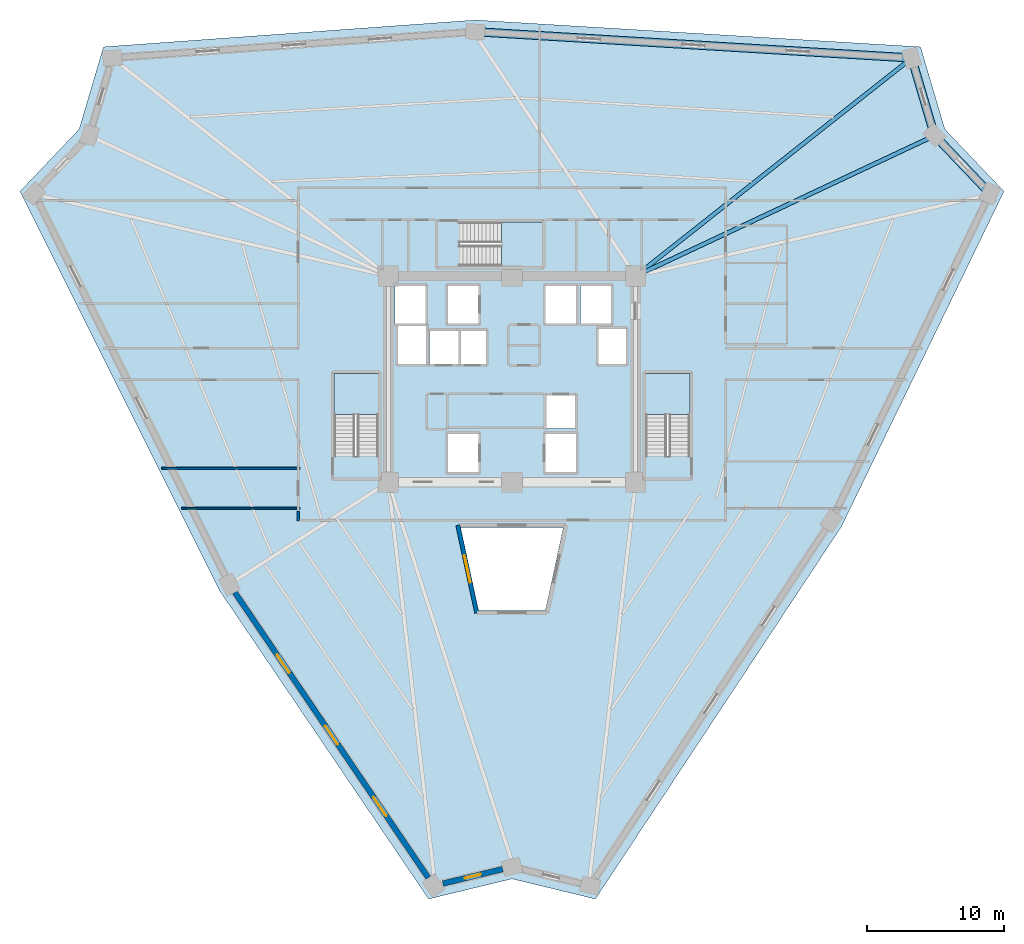
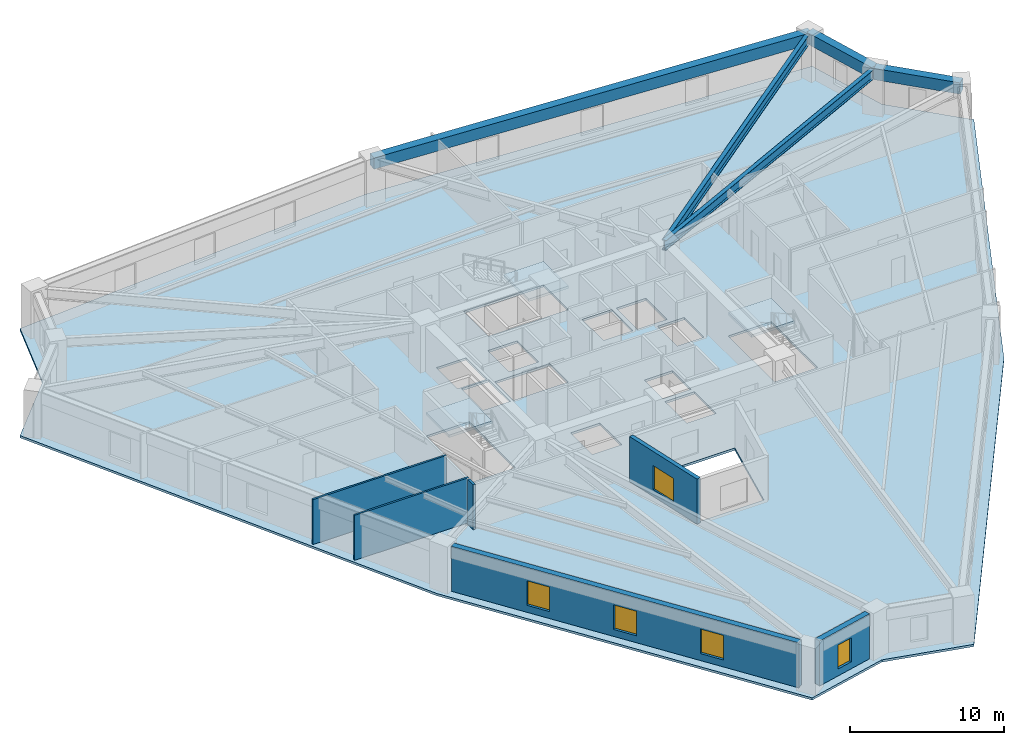
# One storey, part 2 of 8: 6 walls, 5 beams, 5 windows, 4 slabs, 5 openings, 3 elements without a shape of their own.
"""IFC4 building model written with IfcOpenShell, lengths in metres."""

from ifc_helpers import new_model, si_unit, direction, frame, frame_2d, origin, origin_2d, place, context, subcontext, project, spatial, polyline, rectangle, i_section, outline, extrude, source, transform, mapped, material, layer, layer_set, material_profile, profile_set, type_object, element, fill, aggregate, save


model = new_model("IFC4")

# Units and contexts
model_context = context("Model", 3, precision=1e-05, world=origin(), true_north=direction((0.0, 1.0)))
body_context = subcontext(model_context, "Body", "Model", "MODEL_VIEW")
ifc_project = project(units=[si_unit("LENGTHUNIT", "METRE"), si_unit("AREAUNIT", "SQUARE_METRE"), si_unit("VOLUMEUNIT", "CUBIC_METRE"), si_unit("PLANEANGLEUNIT", "RADIAN"), si_unit("MASSUNIT", "GRAM", prefix="KILO")], contexts=[model_context])

# Site, building, storey
site_placement = place(None, origin())
site = spatial("IfcSite", under=ifc_project, at=site_placement, CompositionType="ELEMENT")
building_placement = place(site_placement, origin())
building = spatial("IfcBuilding", under=site, at=building_placement, Name="Liaohun Quay Tower", CompositionType="ELEMENT")
storey_placement = place(building_placement, frame((0.0, 0.0, 174.0)))
storey = spatial("IfcBuildingStorey", under=building, at=storey_placement, Name="L45", CompositionType="ELEMENT", Elevation=174.0)

# Beams
ifc_material_1 = material(Name="Precast concrete C55", Category="concrete")
ifc_material_profile_1 = material_profile(ifc_material_1, rectangle(XDim=0.60009765625, YDim=0.89990234375, at=origin_2d()), Name="RC600x900")
ifc_profile_set_1 = profile_set([ifc_material_profile_1], Name="Precast concrete C55")
beam_type_1 = type_object("IfcBeamType", Name="BM-SPD-Z2", PredefinedType="SPANDREL", material=ifc_profile_set_1)
shared_shape_1 = source(origin(), body_context, "Body", "SweptSolid", [
    extrude(rectangle(XDim=0.60009765625, YDim=0.89990234375, at=origin_2d()), origin(), (0.0, 0.0, 1.0), 31.817626953125),
])
beam_1_placement = place(storey_placement, frame((57.3291015625, 79.282958984375, 3.1201171875), z_axis=(0.998187067005, -0.060187866411, 0.0), x_axis=(0.060187866411, 0.998187067005, 0.0)))
element("IfcBeam", 1, at=beam_1_placement, inside=storey, type_object=beam_type_1, Name="L45 Precast Spandrel Beam PC06-PC07", PredefinedType="SPANDREL", context=body_context, shape_type="MappedRepresentation", body=[
    mapped(shared_shape_1, transform((0.0, 0.0, 0.0), x_axis=(1.0, 0.0, 0.0), y_axis=(0.0, 1.0, 0.0), z_axis=(0.0, 0.0, 1.0), scale=1.0)),
])
shared_shape_2 = source(origin(), body_context, "Body", "SweptSolid", [
    extrude(rectangle(XDim=0.60009765625, YDim=0.89990234375, at=origin_2d()), origin(), (0.0, 0.0, 1.0), 5.856201171875),
])
beam_2_placement = place(storey_placement, frame((89.089111328125, 77.367919921875, 3.1201171875), z_axis=(0.282942654403, -0.959136827736, 0.0), x_axis=(0.959136827736, 0.282942654403, 0.0)))
element("IfcBeam", 2, at=beam_2_placement, inside=storey, type_object=beam_type_1, Name="L45 Precast Spandrel Beam PC07-PC08", PredefinedType="SPANDREL", context=body_context, shape_type="MappedRepresentation", body=[
    mapped(shared_shape_2, transform((0.0, 0.0, 0.0), x_axis=(1.0, 0.0, 0.0), y_axis=(0.0, 1.0, 0.0), z_axis=(0.0, 0.0, 1.0), scale=1.0)),
])
shared_shape_3 = source(origin(), body_context, "Body", "SweptSolid", [
    extrude(rectangle(XDim=0.60009765625, YDim=0.89990234375, at=origin_2d()), origin(), (0.0, 0.0, 1.0), 5.863037109375),
])
beam_3_placement = place(storey_placement, frame((90.74609375, 71.7509765625, 3.1201171875), z_axis=(0.68923082768, -0.724541831902, 0.0), x_axis=(0.724541831902, 0.68923082768, 0.0)))
element("IfcBeam", 3, at=beam_3_placement, inside=storey, type_object=beam_type_1, Name="L45 Precast Spandrel Beam PC08-PC09", PredefinedType="SPANDREL", context=body_context, shape_type="MappedRepresentation", body=[
    mapped(shared_shape_3, transform((0.0, 0.0, 0.0), x_axis=(1.0, 0.0, 0.0), y_axis=(0.0, 1.0, 0.0), z_axis=(0.0, 0.0, 1.0), scale=1.0)),
])
ifc_material_2 = material(Name="Steel Q355D", Category="steel")
ifc_material_profile_2 = material_profile(ifc_material_2, i_section(OverallWidth=0.300048828125, OverallDepth=0.75, WebThickness=0.013916015625, FlangeThickness=0.02587890625, at=origin_2d()), Name="HN750x300x14x26")
ifc_profile_set_2 = profile_set([ifc_material_profile_2], Name="Steel Q355D")
beam_type_2 = type_object("IfcBeamType", Name="BM-RAD-M2", PredefinedType="BEAM", material=ifc_profile_set_2)
shared_shape_4 = source(origin(), body_context, "Body", "SweptSolid", [
    extrude(i_section(OverallWidth=0.300048828125, OverallDepth=0.75, WebThickness=0.013916015625, FlangeThickness=0.02587890625, at=origin_2d()), origin(), (0.0, 0.0, 1.0), 23.674072265625),
])
beam_4_placement = place(storey_placement, frame((69.0, 61.5, 3.195068359375), z_axis=(0.905085425075, 0.42522978884, 0.0), x_axis=(-0.42522978884, 0.905085425075, 0.0)))
element("IfcBeam", 4, at=beam_4_placement, inside=storey, type_object=beam_type_2, Name="L45 Radial Primary Girder CC4-PC08", PredefinedType="BEAM", context=body_context, shape_type="MappedRepresentation", body=[
    mapped(shared_shape_4, transform((0.0, 0.0, 0.0), x_axis=(1.0, 0.0, 0.0), y_axis=(0.0, 1.0, 0.0), z_axis=(0.0, 0.0, 1.0), scale=1.0)),
])
ifc_material_profile_3 = material_profile(ifc_material_2, i_section(OverallWidth=0.300048828125, OverallDepth=0.800048828125, WebThickness=0.013916015625, FlangeThickness=0.02587890625, at=origin_2d()), Name="HN800x300x14x26")
ifc_profile_set_3 = profile_set([ifc_material_profile_3], Name="Steel Q355D")
beam_type_3 = type_object("IfcBeamType", Name="BM-RAD-M1", PredefinedType="BEAM", material=ifc_profile_set_3)
shared_shape_5 = source(origin(), body_context, "Body", "SweptSolid", [
    extrude(i_section(OverallWidth=0.300048828125, OverallDepth=0.800048828125, WebThickness=0.013916015625, FlangeThickness=0.02587890625, at=origin_2d()), origin(), (0.0, 0.0, 1.0), 25.212646484375),
])
beam_5_placement = place(storey_placement, frame((69.0, 61.5, 3.169921875), z_axis=(0.784847071692, 0.6196894981, 0.0), x_axis=(-0.6196894981, 0.784847071692, 0.0)))
element("IfcBeam", 5, at=beam_5_placement, inside=storey, type_object=beam_type_3, Name="L45 Radial Primary Girder CC4-PC07", PredefinedType="BEAM", context=body_context, shape_type="MappedRepresentation", body=[
    mapped(shared_shape_5, transform((0.0, 0.0, 0.0), x_axis=(1.0, 0.0, 0.0), y_axis=(0.0, 1.0, 0.0), z_axis=(0.0, 0.0, 1.0), scale=1.0)),
])

# Stair, slab
ifc_material_3 = material(Name="Concrete C45", Category="concrete")
stair_type = type_object("IfcStairType", Name="STR-CORE-OFF", PredefinedType="HALF_TURN_STAIR", material=ifc_material_3)
stair_1_placement = place(storey_placement, origin())
stair_1 = element("IfcStair", 6, at=stair_1_placement, inside=storey, type_object=stair_type, Name="L45 Smokeproof Core Exit Stair ST-1", PredefinedType="HALF_TURN_STAIR")
ifc_layer_1 = layer(ifc_material_3, 0.199951171875, Name="Concrete C45", Category="concrete")
ifc_layer_set_1 = layer_set([ifc_layer_1], Name="Concrete C45")
slab_type_1 = type_object("IfcSlabType", Name="SLB-LND-200", PredefinedType="LANDING", material=ifc_layer_set_1)
slab_1_placement = place(storey_placement, frame((0.0, 0.0, 1.675048828125)))
slab_1 = element("IfcSlab", 7, at=slab_1_placement, type_object=slab_type_1, Name="ST-1 landing 1", PredefinedType="LANDING", context=body_context, shape_type="SweptSolid", body=[
    extrude(outline(polyline([(50.280029296875, 51.429931640625), (50.280029296875, 54.419921875), (47.0400390625, 54.419921875), (47.0400390625, 51.429931640625), (50.280029296875, 51.429931640625)])), origin(), (0.0, 0.0, 1.0), 0.199951171875),
])
aggregate(stair_1, [slab_1])

stair_2_placement = place(storey_placement, origin())
stair_2 = element("IfcStair", 8, at=stair_2_placement, inside=storey, type_object=stair_type, Name="L45 Smokeproof Core Exit Stair ST-2", PredefinedType="HALF_TURN_STAIR")
slab_2_placement = place(storey_placement, frame((0.0, 0.0, 1.675048828125)))
slab_2 = element("IfcSlab", 9, at=slab_2_placement, type_object=slab_type_1, Name="ST-2 landing 1", PredefinedType="LANDING", context=body_context, shape_type="SweptSolid", body=[
    extrude(outline(polyline([(72.9599609375, 51.429931640625), (72.9599609375, 54.419921875), (69.719970703125, 54.419921875), (69.719970703125, 51.429931640625), (72.9599609375, 51.429931640625)])), origin(), (0.0, 0.0, 1.0), 0.199951171875),
])
aggregate(stair_2, [slab_2])

stair_3_placement = place(storey_placement, origin())
stair_3 = element("IfcStair", 10, at=stair_3_placement, inside=storey, type_object=stair_type, Name="L45 Smokeproof Core Exit Stair ST-3", PredefinedType="HALF_TURN_STAIR")
slab_3_placement = place(storey_placement, frame((0.0, 0.0, 1.675048828125)))
slab_3 = element("IfcSlab", 11, at=slab_3_placement, type_object=slab_type_1, Name="ST-3 landing 1", PredefinedType="LANDING", context=body_context, shape_type="SweptSolid", body=[
    extrude(outline(polyline([(59.22998046875, 62.199951171875), (62.219970703125, 62.199951171875), (62.219970703125, 65.43994140625), (59.22998046875, 65.43994140625), (59.22998046875, 62.199951171875)])), origin(), (0.0, 0.0, 1.0), 0.199951171875),
])
aggregate(stair_3, [slab_3])

# Slab
ifc_layer_2 = layer(ifc_material_3, 0.179931640625, Name="Concrete C45", Category="concrete")
ifc_layer_set_2 = layer_set([ifc_layer_2], Name="Concrete C45")
slab_type_2 = type_object("IfcSlabType", Name="SLB-OFF-180", PredefinedType="FLOOR", material=ifc_layer_set_2)
slab_4_placement = place(storey_placement, frame((0.0, 0.0, -0.179931640625)))
element("IfcSlab", 12, at=slab_4_placement, inside=storey, type_object=slab_type_2, Name="L45 Structural Floor Slab", PredefinedType="FLOOR", context=body_context, shape_type="SweptSolid", body=[
    extrude(outline(polyline([(53.927001953125, 16.156982421875), (60.0, 17.6240234375), (66.072998046875, 16.156982421875), (83.971923828125, 43.25), (95.80908203125, 67.662109375), (91.5029296875, 72.18798828125), (89.736083984375, 78.180908203125), (57.323974609375, 80.135009765625), (30.263916015625, 78.180908203125), (28.4970703125, 72.18798828125), (24.19091796875, 67.662109375), (38.705078125, 38.614990234375), (53.927001953125, 16.156982421875)]), holes=[polyline([(57.56005859375, 50.030029296875), (55.340087890625, 50.030029296875), (55.340087890625, 47.2099609375), (57.56005859375, 47.2099609375), (57.56005859375, 50.030029296875)]), polyline([(50.280029296875, 54.419921875), (47.0400390625, 54.419921875), (47.0400390625, 48.409912109375), (50.280029296875, 48.409912109375), (50.280029296875, 54.419921875)]), polyline([(53.989990234375, 55.090087890625), (58.110107421875, 55.090087890625), (58.110107421875, 57.510009765625), (53.989990234375, 57.510009765625), (53.989990234375, 55.090087890625)]), polyline([(53.760009765625, 55.090087890625), (53.760009765625, 57.909912109375), (51.7099609375, 57.909912109375), (51.7099609375, 55.090087890625), (53.760009765625, 55.090087890625)]), polyline([(53.7099609375, 58.0400390625), (53.7099609375, 60.7900390625), (51.489990234375, 60.7900390625), (51.489990234375, 58.0400390625), (53.7099609375, 58.0400390625)]), polyline([(57.56005859375, 58.0400390625), (57.56005859375, 60.7900390625), (55.340087890625, 60.7900390625), (55.340087890625, 58.0400390625), (57.56005859375, 58.0400390625)]), polyline([(62.219970703125, 62.199951171875), (62.219970703125, 65.43994140625), (56.2099609375, 65.43994140625), (56.2099609375, 62.199951171875), (62.219970703125, 62.199951171875)]), polyline([(62.427001953125, 37.155029296875), (63.73388671875, 43.199951171875), (56.26611328125, 43.199951171875), (57.572998046875, 37.155029296875), (62.427001953125, 37.155029296875)]), polyline([(64.659912109375, 47.2099609375), (64.659912109375, 50.030029296875), (62.43994140625, 50.030029296875), (62.43994140625, 47.2099609375), (64.659912109375, 47.2099609375)]), polyline([(72.9599609375, 54.419921875), (69.719970703125, 54.419921875), (69.719970703125, 48.409912109375), (72.9599609375, 48.409912109375), (72.9599609375, 54.419921875)]), polyline([(64.610107421875, 50.389892578125), (64.610107421875, 52.81005859375), (62.489990234375, 52.81005859375), (62.489990234375, 50.389892578125), (64.610107421875, 50.389892578125)]), polyline([(68.2900390625, 55.090087890625), (68.2900390625, 57.659912109375), (66.2900390625, 57.659912109375), (66.2900390625, 55.090087890625), (68.2900390625, 55.090087890625)]), polyline([(64.659912109375, 58.0400390625), (64.659912109375, 60.7900390625), (62.43994140625, 60.7900390625), (62.43994140625, 58.0400390625), (64.659912109375, 58.0400390625)]), polyline([(67.2099609375, 58.0400390625), (67.2099609375, 60.7900390625), (64.989990234375, 60.7900390625), (64.989990234375, 58.0400390625), (67.2099609375, 58.0400390625)])]), origin(), (0.0, 0.0, 1.0), 0.179931640625),
])

# Wall, opening, window
ifc_material_4 = material(Name="Concrete C50", Category="concrete")
ifc_layer_3 = layer(ifc_material_4, 0.300048828125, Name="Concrete C50", Category="concrete")
ifc_layer_set_3 = layer_set([ifc_layer_3], Name="Concrete C50")
wall_type_1 = type_object("IfcWallType", Name="WAL-ATR-300", PredefinedType="SOLIDWALL", material=ifc_layer_set_3)
wall_1_placement = place(storey_placement, frame((57.43603515625, 36.985107421875, 0.0), z_axis=(0.0, 0.0, 1.0), x_axis=(-0.211414812525, 0.977396427784, 0.0)))
wall_1 = element("IfcWall", 13, at=wall_1_placement, inside=storey, type_object=wall_type_1, Name="L45 Atrium Fire Compartment Wall 1", PredefinedType="SOLIDWALL", context=body_context, shape_type="SweptSolid", body=[
    extrude(rectangle(XDim=6.53271484375, YDim=0.300048828125, at=frame_2d((3.266357421875, 0.0))), origin(), (0.0, 0.0, 1.0), 3.570068359375),
])
shared_shape_6 = source(origin(), body_context, "Body", "SweptSolid", [
    extrude(rectangle(XDim=2.0, YDim=1.89990234375, at=frame_2d((1.0, 0.949951171875))), frame((0.0, 0.159912109375, 0.0), z_axis=(0.0, -1.0, 0.0), x_axis=(1.0, 0.0, 0.0)), (0.0, 0.0, 1.0), 0.320068359375),
])
opening_1_placement = place(wall_1_placement, frame((2.26611328125, 0.0, 0.550048828125)))
opening_1 = element("IfcOpeningElement", 14, at=opening_1_placement, cuts=wall_1, Name="Opening W07", PredefinedType="OPENING", context=body_context, shape_type="MappedRepresentation", body=[
    mapped(shared_shape_6, transform((0.0, 0.0, 0.0), x_axis=(1.0, 0.0, 0.0), y_axis=(0.0, 1.0, 0.0), z_axis=(0.0, 0.0, 1.0), scale=1.0)),
])
ifc_material_5 = material(Name="Class A 180-min fire-resistant insulated glazing", Category="glass")
window_type_1 = type_object("IfcWindowType", Name="WIN-ATR-FIR", PartitioningType="DOUBLE_PANEL_VERTICAL", PredefinedType="WINDOW", material=ifc_material_5)
shared_shape_7 = source(origin(), body_context, "Body", "SweptSolid", [
    extrude(rectangle(XDim=2.0, YDim=1.89990234375, at=frame_2d((1.0, 0.949951171875))), frame((0.0, 0.030029296875, 0.0), z_axis=(0.0, -1.0, 0.0), x_axis=(1.0, 0.0, 0.0)), (0.0, 0.0, 1.0), 0.06005859375),
])
window_1_placement = place(opening_1_placement, origin())
window_1 = element("IfcWindow", 15, at=window_1_placement, inside=storey, type_object=window_type_1, Name="L45 Atrium Fire-Resistant Glazing W07-1", OverallHeight=1.89990234375, OverallWidth=2.0, PartitioningType="DOUBLE_PANEL_VERTICAL", PredefinedType="WINDOW", context=body_context, shape_type="MappedRepresentation", body=[
    mapped(shared_shape_7, transform((0.0, 0.0, 0.0), x_axis=(1.0, 0.0, 0.0), y_axis=(0.0, 1.0, 0.0), z_axis=(0.0, 0.0, 1.0), scale=1.0)),
])
fill(opening_1, window_1)

# Wall, openings, windows
ifc_material_6 = material(Name="Precast concrete C50 insulated sandwich", Category="concrete")
ifc_layer_4 = layer(ifc_material_6, 0.419921875, Name="Precast concrete C50 insulated sandwich", Category="concrete")
ifc_layer_set_4 = layer_set([ifc_layer_4], Name="Precast concrete C50 insulated sandwich")
wall_type_2 = type_object("IfcWallType", Name="WAL-EXT-Z12", PredefinedType="SOLIDWALL", material=ifc_layer_set_4)
wall_2_placement = place(storey_placement, frame((39.826904296875, 38.47412109375, 0.0), z_axis=(0.0, 0.0, 1.0), x_axis=(0.561086370312, -0.827757262155, 0.0)))
wall_2 = element("IfcWall", 16, at=wall_2_placement, inside=storey, type_object=wall_type_2, Name="L45 Brutalist Precast Pier Wall 11", PredefinedType="SOLIDWALL", context=body_context, shape_type="SweptSolid", body=[
    extrude(rectangle(XDim=25.105224609375, YDim=0.419921875, at=frame_2d((12.552734375, 0.0))), origin(), (0.0, 0.0, 1.0), 3.570068359375),
])
shared_shape_8 = source(origin(), body_context, "Body", "SweptSolid", [
    extrude(rectangle(XDim=1.64990234375, YDim=1.949951171875, at=frame_2d((0.824951171875, 0.97509765625))), frame((0.0, 0.219970703125, 0.0), z_axis=(0.0, -1.0, 0.0), x_axis=(1.0, 0.0, 0.0)), (0.0, 0.0, 1.0), 0.43994140625),
])
opening_2_placement = place(wall_2_placement, frame((5.450927734375, 0.0, 0.550048828125)))
opening_2 = element("IfcOpeningElement", 17, at=opening_2_placement, cuts=wall_2, Name="Opening W02", PredefinedType="OPENING", context=body_context, shape_type="MappedRepresentation", body=[
    mapped(shared_shape_8, transform((0.0, 0.0, 0.0), x_axis=(1.0, 0.0, 0.0), y_axis=(0.0, 1.0, 0.0), z_axis=(0.0, 0.0, 1.0), scale=1.0)),
])
opening_3_placement = place(wall_2_placement, frame((11.72802734375, 0.0, 0.550048828125)))
opening_3 = element("IfcOpeningElement", 18, at=opening_3_placement, cuts=wall_2, Name="Opening W02", PredefinedType="OPENING", context=body_context, shape_type="MappedRepresentation", body=[
    mapped(shared_shape_8, transform((0.0, 0.0, 0.0), x_axis=(1.0, 0.0, 0.0), y_axis=(0.0, 1.0, 0.0), z_axis=(0.0, 0.0, 1.0), scale=1.0)),
])
opening_4_placement = place(wall_2_placement, frame((18.00390625, 0.0, 0.550048828125)))
opening_4 = element("IfcOpeningElement", 19, at=opening_4_placement, cuts=wall_2, Name="Opening W02", PredefinedType="OPENING", context=body_context, shape_type="MappedRepresentation", body=[
    mapped(shared_shape_8, transform((0.0, 0.0, 0.0), x_axis=(1.0, 0.0, 0.0), y_axis=(0.0, 1.0, 0.0), z_axis=(0.0, 0.0, 1.0), scale=1.0)),
])
ifc_material_7 = material(Name="Triple Low-E argon glazing in thermally broken aluminium", Category="aluminium")
window_type_2 = type_object("IfcWindowType", Name="WIN-PUN-Z2", PartitioningType="DOUBLE_PANEL_VERTICAL", PredefinedType="WINDOW", material=ifc_material_7)
shared_shape_9 = source(origin(), body_context, "Body", "SweptSolid", [
    extrude(rectangle(XDim=1.64990234375, YDim=1.949951171875, at=frame_2d((0.824951171875, 0.97509765625))), frame((0.0, 0.030029296875, 0.0), z_axis=(0.0, -1.0, 0.0), x_axis=(1.0, 0.0, 0.0)), (0.0, 0.0, 1.0), 0.06005859375),
])
window_2_placement = place(opening_2_placement, origin())
window_2 = element("IfcWindow", 20, at=window_2_placement, inside=storey, type_object=window_type_2, Name="L45 Recessed Cold-Climate Punched Window 11-1", OverallHeight=1.949951171875, OverallWidth=1.64990234375, PartitioningType="DOUBLE_PANEL_VERTICAL", PredefinedType="WINDOW", context=body_context, shape_type="MappedRepresentation", body=[
    mapped(shared_shape_9, transform((0.0, 0.0, 0.0), x_axis=(1.0, 0.0, 0.0), y_axis=(0.0, 1.0, 0.0), z_axis=(0.0, 0.0, 1.0), scale=1.0)),
])
fill(opening_2, window_2)
window_3_placement = place(opening_3_placement, origin())
window_3 = element("IfcWindow", 21, at=window_3_placement, inside=storey, type_object=window_type_2, Name="L45 Recessed Cold-Climate Punched Window 11-2", OverallHeight=1.949951171875, OverallWidth=1.64990234375, PartitioningType="DOUBLE_PANEL_VERTICAL", PredefinedType="WINDOW", context=body_context, shape_type="MappedRepresentation", body=[
    mapped(shared_shape_9, transform((0.0, 0.0, 0.0), x_axis=(1.0, 0.0, 0.0), y_axis=(0.0, 1.0, 0.0), z_axis=(0.0, 0.0, 1.0), scale=1.0)),
])
fill(opening_3, window_3)
window_4_placement = place(opening_4_placement, origin())
window_4 = element("IfcWindow", 22, at=window_4_placement, inside=storey, type_object=window_type_2, Name="L45 Recessed Cold-Climate Punched Window 11-3", OverallHeight=1.949951171875, OverallWidth=1.64990234375, PartitioningType="DOUBLE_PANEL_VERTICAL", PredefinedType="WINDOW", context=body_context, shape_type="MappedRepresentation", body=[
    mapped(shared_shape_9, transform((0.0, 0.0, 0.0), x_axis=(1.0, 0.0, 0.0), y_axis=(0.0, 1.0, 0.0), z_axis=(0.0, 0.0, 1.0), scale=1.0)),
])
fill(opening_4, window_4)

# Wall, opening, window
wall_3_placement = place(storey_placement, frame((54.970947265625, 17.283935546875, 0.0), z_axis=(0.0, 0.0, 1.0), x_axis=(0.972080495349, 0.234647630635, 0.0)))
wall_3 = element("IfcWall", 23, at=wall_3_placement, inside=storey, type_object=wall_type_2, Name="L45 Brutalist Precast Pier Wall 12", PredefinedType="SOLIDWALL", context=body_context, shape_type="SweptSolid", body=[
    extrude(rectangle(XDim=4.4833984375, YDim=0.419921875, at=frame_2d((2.24169921875, 0.0))), origin(), (0.0, 0.0, 1.0), 3.570068359375),
])
shared_shape_10 = source(origin(), body_context, "Body", "SweptSolid", [
    extrude(rectangle(XDim=1.199951171875, YDim=1.89990234375, at=frame_2d((0.60009765625, 0.949951171875))), frame((0.0, 0.219970703125, 0.0), z_axis=(0.0, -1.0, 0.0), x_axis=(1.0, 0.0, 0.0)), (0.0, 0.0, 1.0), 0.43994140625),
])
opening_5_placement = place(wall_3_placement, frame((1.64208984375, 0.0, 0.550048828125)))
opening_5 = element("IfcOpeningElement", 24, at=opening_5_placement, cuts=wall_3, Name="Opening W05", PredefinedType="OPENING", context=body_context, shape_type="MappedRepresentation", body=[
    mapped(shared_shape_10, transform((0.0, 0.0, 0.0), x_axis=(1.0, 0.0, 0.0), y_axis=(0.0, 1.0, 0.0), z_axis=(0.0, 0.0, 1.0), scale=1.0)),
])
ifc_material_8 = material(Name="Triple Low-E corner notch glazing", Category="glass")
window_type_3 = type_object("IfcWindowType", Name="WIN-NOTCH", PartitioningType="SINGLE_PANEL", PredefinedType="WINDOW", material=ifc_material_8)
shared_shape_11 = source(origin(), body_context, "Body", "SweptSolid", [
    extrude(rectangle(XDim=1.199951171875, YDim=1.89990234375, at=frame_2d((0.60009765625, 0.949951171875))), frame((0.0, 0.030029296875, 0.0), z_axis=(0.0, -1.0, 0.0), x_axis=(1.0, 0.0, 0.0)), (0.0, 0.0, 1.0), 0.06005859375),
])
window_5_placement = place(opening_5_placement, origin())
window_5 = element("IfcWindow", 25, at=window_5_placement, inside=storey, type_object=window_type_3, Name="L45 Corner Notch Window W05-12", OverallHeight=1.89990234375, OverallWidth=1.199951171875, PartitioningType="SINGLE_PANEL", PredefinedType="WINDOW", context=body_context, shape_type="MappedRepresentation", body=[
    mapped(shared_shape_11, transform((0.0, 0.0, 0.0), x_axis=(1.0, 0.0, 0.0), y_axis=(0.0, 1.0, 0.0), z_axis=(0.0, 0.0, 1.0), scale=1.0)),
])
fill(opening_5, window_5)

# Walls
ifc_material_9 = material(Name="Autoclaved aerated concrete blockwork", Category="masonry")
ifc_layer_5 = layer(ifc_material_9, 0.179931640625, Name="Autoclaved aerated concrete blockwork", Category="masonry")
ifc_layer_set_5 = layer_set([ifc_layer_5], Name="Autoclaved aerated concrete blockwork")
wall_type_3 = type_object("IfcWallType", Name="WAL-PRT-COR", PredefinedType="PARTITIONING", material=ifc_layer_set_5)
wall_4_placement = place(storey_placement, frame((44.43994140625, 43.669921875, 0.0), z_axis=(0.0, 0.0, 1.0), x_axis=(0.0, 1.0, 0.0)))
element("IfcWall", 26, at=wall_4_placement, inside=storey, type_object=wall_type_3, Name="L45 Interior Partition Wall 046", PredefinedType="PARTITIONING", context=body_context, shape_type="SweptSolid", body=[
    extrude(rectangle(XDim=0.715087890625, YDim=0.179931640625, at=frame_2d((0.357421875, 0.0))), origin(), (0.0, 0.0, 1.0), 3.570068359375),
])
ifc_material_10 = material(Name="Gypsum board on twin steel studs", Category="steel")
ifc_layer_6 = layer(ifc_material_10, 0.139892578125, Name="Gypsum board on twin steel studs", Category="steel")
ifc_layer_set_6 = layer_set([ifc_layer_6], Name="Gypsum board on twin steel studs")
wall_type_4 = type_object("IfcWallType", Name="WAL-PRT-OFF", PredefinedType="PARTITIONING", material=ifc_layer_set_6)
wall_5_placement = place(storey_placement, frame((44.5400390625, 44.60009765625, 0.0), z_axis=(0.0, 0.0, 1.0), x_axis=(-1.0, 0.0, 0.0)))
element("IfcWall", 27, at=wall_5_placement, inside=storey, type_object=wall_type_4, Name="L45 Interior Partition Wall 049", PredefinedType="PARTITIONING", context=body_context, shape_type="SweptSolid", body=[
    extrude(rectangle(XDim=8.580078125, YDim=0.139892578125, at=frame_2d((4.2900390625, 0.0))), origin(), (0.0, 0.0, 1.0), 3.570068359375),
])
wall_6_placement = place(storey_placement, frame((44.5400390625, 47.5, 0.0), z_axis=(0.0, 0.0, 1.0), x_axis=(-1.0, 0.0, 0.0)))
element("IfcWall", 28, at=wall_6_placement, inside=storey, type_object=wall_type_4, Name="L45 Interior Partition Wall 050", PredefinedType="PARTITIONING", context=body_context, shape_type="SweptSolid", body=[
    extrude(rectangle(XDim=10.029052734375, YDim=0.139892578125, at=frame_2d((5.0146484375, 0.0))), origin(), (0.0, 0.0, 1.0), 3.570068359375),
])

save(model, "model.ifc")
